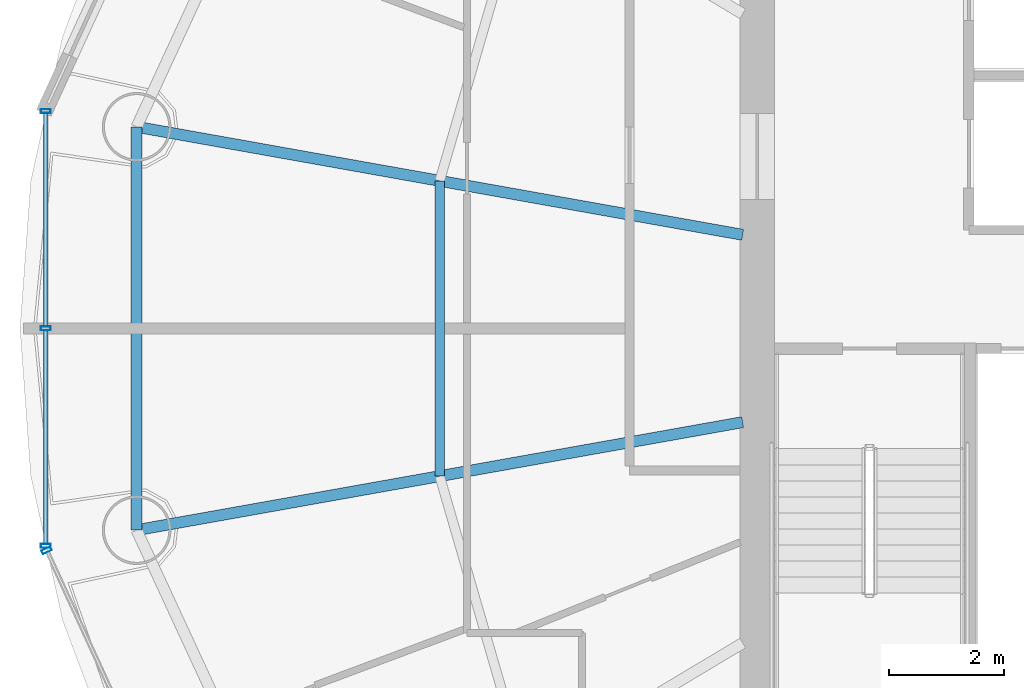
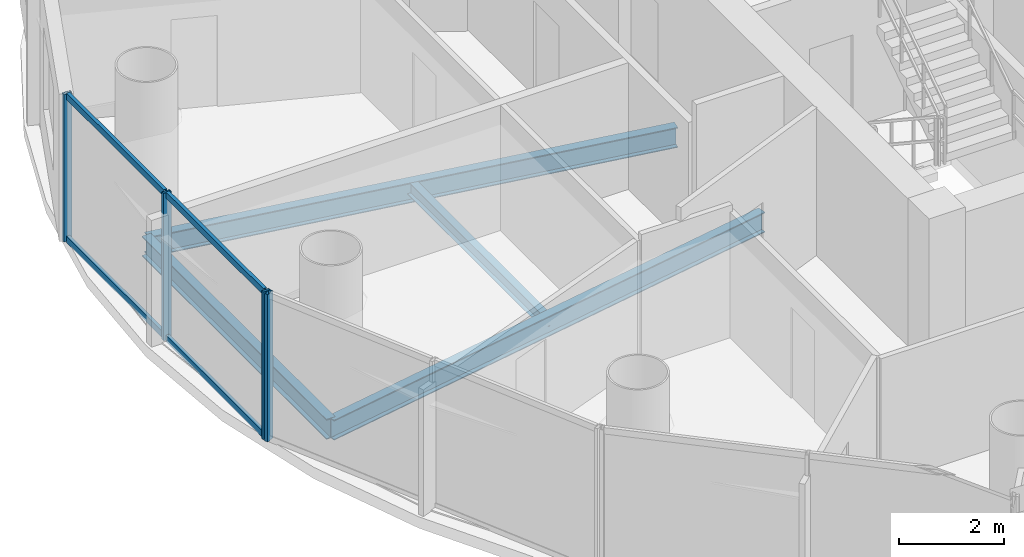
# One storey, part 7 of 26: 8 members, 4 beams, 2 elements without a shape of their own.
"""IFC4 building model written with IfcOpenShell, lengths in metres."""

from ifc_helpers import new_model, si_unit, direction, frame, origin, origin_2d, place, context, subcontext, project, spatial, hollow_rectangle, i_section, extrude, source, transform, mapped, material, material_profile, profile_set, type_object, element, aggregate, save


model = new_model("IFC4")

# Units and contexts
model_context = context("Model", 3, precision=1e-05, world=origin(), true_north=direction((-0.2419218956, 0.970295726276)))
body_context = subcontext(model_context, "Body", "Model", "MODEL_VIEW")
ifc_project = project(units=[si_unit("LENGTHUNIT", "METRE"), si_unit("AREAUNIT", "SQUARE_METRE"), si_unit("VOLUMEUNIT", "CUBIC_METRE"), si_unit("PLANEANGLEUNIT", "RADIAN"), si_unit("MASSUNIT", "GRAM", prefix="KILO")], contexts=[model_context])

# Site, building, storey
site_placement = place(None, origin())
site = spatial("IfcSite", under=ifc_project, at=site_placement, CompositionType="ELEMENT")
building_placement = place(site_placement, origin())
building = spatial("IfcBuilding", under=site, at=building_placement, Name="Cobrevalo Terracotta Tower", CompositionType="ELEMENT")
storey_placement = place(building_placement, frame((0.0, 0.0, 217.10009765625)))
storey = spatial("IfcBuildingStorey", under=building, at=storey_placement, Name="L57", CompositionType="ELEMENT", Elevation=217.10009765625)

# Beams
ifc_material_1 = material(Name="Steel S355", Category="steel")
ifc_material_profile_1 = material_profile(ifc_material_1, i_section(OverallWidth=0.194091796875, OverallDepth=0.468994140625, WebThickness=0.011474609375, FlangeThickness=0.0205078125, at=origin_2d()), Name="W 460x106")
ifc_profile_set_1 = profile_set([ifc_material_profile_1], Name="Steel S355")
beam_type_1 = type_object("IfcBeamType", Name="Structural Beam W 460x106 (Steel S355)", PredefinedType="BEAM", material=ifc_profile_set_1)
for number, where, z_axis, x_axis, name in (
    (1, (18.237060546875, 30.3212890625, -0.49951171875), (0.98449712063, -0.175400739656, 0.0), (0.175400739656, 0.98449712063, 0.0), "L57 radial floor girder 08"),
    (2, (18.237060546875, 23.278564453125, -0.49951171875), (0.984493198547, 0.175422752274, 0.0), (-0.175422752274, 0.984493198547, 0.0), "L57 radial floor girder 09"),
):
    element("IfcBeam", number, at=place(storey_placement, frame(where, z_axis=z_axis, x_axis=x_axis)), inside=storey, type_object=beam_type_1, Name=name, PredefinedType="BEAM", context=body_context, shape_type="SweptSolid", body=[
        extrude(i_section(OverallWidth=0.194091796875, OverallDepth=0.468994140625, WebThickness=0.011474609375, FlangeThickness=0.0205078125, at=origin_2d()), origin(), (0.0, 0.0, 1.0), 10.749755859375),
    ])
ifc_material_profile_2 = material_profile(ifc_material_1, i_section(OverallWidth=0.1650390625, OverallDepth=0.31005859375, WebThickness=0.005859375, FlangeThickness=0.009765625, at=origin_2d()), Name="W 310x38.7")
ifc_profile_set_2 = profile_set([ifc_material_profile_2], Name="Steel S355")
beam_type_2 = type_object("IfcBeamType", Name="Structural Joist W 310x38.7 (Steel S355)", PredefinedType="JOIST", material=ifc_profile_set_2)
beam_1_placement = place(storey_placement, frame((23.528564453125, 29.378662109375, -0.420166015625), z_axis=(0.0, -1.0, 0.0), x_axis=(1.0, 0.0, 0.0)))
element("IfcBeam", 3, at=beam_1_placement, inside=storey, type_object=beam_type_2, Name="L57 circumferential secondary floor joist 08", PredefinedType="JOIST", context=body_context, shape_type="SweptSolid", body=[
    extrude(i_section(OverallWidth=0.1650390625, OverallDepth=0.31005859375, WebThickness=0.005859375, FlangeThickness=0.009765625, at=origin_2d()), origin(), (0.0, 0.0, 1.0), 5.1572265625),
])
ifc_material_profile_3 = material_profile(ifc_material_1, i_section(OverallWidth=0.194091796875, OverallDepth=0.468994140625, WebThickness=0.011474609375, FlangeThickness=0.0205078125, at=origin_2d()), Name="W 460x106")
ifc_profile_set_3 = profile_set([ifc_material_profile_3], Name="Steel S355")
beam_type_3 = type_object("IfcBeamType", Name="Structural Spandrel W 460x106 (Steel S355)", PredefinedType="SPANDREL", material=ifc_profile_set_3)
beam_2_placement = place(storey_placement, frame((18.237060546875, 30.3212890625, -0.49951171875), z_axis=(0.0, -1.0, 0.0), x_axis=(1.0, 0.0, 0.0)))
element("IfcBeam", 4, at=beam_2_placement, inside=storey, type_object=beam_type_3, Name="L57 perimeter ring spandrel 08", PredefinedType="SPANDREL", context=body_context, shape_type="SweptSolid", body=[
    extrude(i_section(OverallWidth=0.194091796875, OverallDepth=0.468994140625, WebThickness=0.011474609375, FlangeThickness=0.0205078125, at=origin_2d()), origin(), (0.0, 0.0, 1.0), 7.042724609375),
])

# Curtain wall, members
ifc_material_2 = material(Name="Anodized aluminium", Category="aluminium")
curtain_wall_type = type_object("IfcCurtainWallType", Name="Mid-tower high-wind unitised curtain wall CW-U2", PredefinedType="NOTDEFINED", material=ifc_material_2)
curtain_wall_1_placement = place(storey_placement, origin())
curtain_wall_1 = element("IfcCurtainWall", 5, at=curtain_wall_1_placement, inside=storey, type_object=curtain_wall_type, Name="L57 curtain wall CW-L57-S08", PredefinedType="NOTDEFINED")
ifc_material_profile_4 = material_profile(ifc_material_2, hollow_rectangle(XDim=0.074951171875, YDim=0.14990234375, WallThickness=0.00439453125, at=origin_2d()), Name="CWT 75x150")
ifc_profile_set_4 = profile_set([ifc_material_profile_4], Name="Anodized aluminium")
member_type_1 = type_object("IfcMemberType", Name="Tower unitised aluminium transom 75x150", PredefinedType="USERDEFINED", material=ifc_profile_set_4)
shared_shape_1 = source(origin(), body_context, "Body", "SweptSolid", [
    extrude(hollow_rectangle(XDim=0.074951171875, YDim=0.14990234375, WallThickness=0.00439453125, at=origin_2d()), origin(), (0.0, 0.0, 1.0), 3.71728515625),
])
member_1_placement = place(storey_placement, frame((16.648193359375, 30.557373046875, 0.0498046875), z_axis=(0.0, -1.0, 0.0), x_axis=(1.0, 0.0, 0.0)))
member_1 = element("IfcMember", 6, at=member_1_placement, type_object=member_type_1, Name="CW-L57-S08 transom B01-T1", ObjectType="TRANSOM", PredefinedType="USERDEFINED", context=body_context, shape_type="MappedRepresentation", body=[
    mapped(shared_shape_1, transform((0.0, 0.0, 0.0), scale=1.0)),
])
member_2_placement = place(storey_placement, frame((16.648193359375, 30.557373046875, 3.385009765625), z_axis=(0.0, -1.0, 0.0), x_axis=(1.0, 0.0, 0.0)))
member_2 = element("IfcMember", 7, at=member_2_placement, type_object=member_type_1, Name="CW-L57-S08 transom B01-T2", ObjectType="TRANSOM", PredefinedType="USERDEFINED", context=body_context, shape_type="MappedRepresentation", body=[
    mapped(shared_shape_1, transform((0.0, 0.0, 0.0), scale=1.0)),
])
shared_shape_2 = source(origin(), body_context, "Body", "SweptSolid", [
    extrude(hollow_rectangle(XDim=0.074951171875, YDim=0.14990234375, WallThickness=0.00439453125, at=origin_2d()), origin(), (0.0, 0.0, 1.0), 3.717529296875),
])
member_3_placement = place(storey_placement, frame((16.648193359375, 26.760009765625, 0.0498046875), z_axis=(0.0, -1.0, 0.0), x_axis=(1.0, 0.0, 0.0)))
member_3 = element("IfcMember", 8, at=member_3_placement, type_object=member_type_1, Name="CW-L57-S08 transom B02-T1", ObjectType="TRANSOM", PredefinedType="USERDEFINED", context=body_context, shape_type="MappedRepresentation", body=[
    mapped(shared_shape_2, transform((0.0, 0.0, 0.0), scale=1.0)),
])
member_4_placement = place(storey_placement, frame((16.648193359375, 26.760009765625, 3.385009765625), z_axis=(0.0, -1.0, 0.0), x_axis=(1.0, 0.0, 0.0)))
member_4 = element("IfcMember", 9, at=member_4_placement, type_object=member_type_1, Name="CW-L57-S08 transom B02-T2", ObjectType="TRANSOM", PredefinedType="USERDEFINED", context=body_context, shape_type="MappedRepresentation", body=[
    mapped(shared_shape_2, transform((0.0, 0.0, 0.0), scale=1.0)),
])
ifc_material_profile_5 = material_profile(ifc_material_2, hollow_rectangle(XDim=0.070068359375, YDim=0.169921875, WallThickness=0.00439453125, at=origin_2d()), Name="CWM 70x170")
ifc_profile_set_5 = profile_set([ifc_material_profile_5], Name="Anodized aluminium")
member_type_2 = type_object("IfcMemberType", Name="Upper tower unitised mullion 70x170", PredefinedType="MULLION", material=ifc_profile_set_5)
shared_shape_3 = source(origin(), body_context, "Body", "SweptSolid", [
    extrude(hollow_rectangle(XDim=0.070068359375, YDim=0.169921875, WallThickness=0.00439453125, at=origin_2d()), origin(), (0.0, 0.0, 1.0), 3.434814453125),
])
member_5_placement = place(storey_placement, frame((16.648193359375, 30.597412109375, 0.0), z_axis=(0.0, 0.0, 1.0), x_axis=(0.0, -1.0, 0.0)))
member_5 = element("IfcMember", 10, at=member_5_placement, type_object=member_type_2, Name="CW-L57-S08 vertical mullion 01", PredefinedType="MULLION", context=body_context, shape_type="MappedRepresentation", body=[
    mapped(shared_shape_3, transform((0.0, 0.0, 0.0), scale=1.0)),
])
member_6_placement = place(storey_placement, frame((16.648193359375, 26.800048828125, 0.0), z_axis=(0.0, 0.0, 1.0), x_axis=(0.0, -1.0, 0.0)))
member_6 = element("IfcMember", 11, at=member_6_placement, type_object=member_type_2, Name="CW-L57-S08 vertical mullion 02", PredefinedType="MULLION", context=body_context, shape_type="MappedRepresentation", body=[
    mapped(shared_shape_3, transform((0.0, 0.0, 0.0), scale=1.0)),
])
member_7_placement = place(storey_placement, frame((16.648193359375, 23.002685546875, 0.0), z_axis=(0.0, 0.0, 1.0), x_axis=(0.0, -1.0, 0.0)))
member_7 = element("IfcMember", 12, at=member_7_placement, type_object=member_type_2, Name="CW-L57-S08 vertical mullion 03", PredefinedType="MULLION", context=body_context, shape_type="MappedRepresentation", body=[
    mapped(shared_shape_3, transform((0.0, 0.0, 0.0), scale=1.0)),
])
aggregate(curtain_wall_1, [member_5, member_6, member_7, member_1, member_2, member_3, member_4])

# Curtain wall, member
curtain_wall_2_placement = place(storey_placement, origin())
curtain_wall_2 = element("IfcCurtainWall", 13, at=curtain_wall_2_placement, inside=storey, type_object=curtain_wall_type, Name="L57 curtain wall CW-L57-S09", PredefinedType="NOTDEFINED")
member_8_placement = place(storey_placement, frame((16.6650390625, 22.92626953125, 0.0), z_axis=(0.0, 0.0, 1.0), x_axis=(0.41672507912, -0.909032567311, 0.0)))
member_8 = element("IfcMember", 14, at=member_8_placement, type_object=member_type_2, Name="CW-L57-S09 vertical mullion 01", PredefinedType="MULLION", context=body_context, shape_type="MappedRepresentation", body=[
    mapped(shared_shape_3, transform((0.0, 0.0, 0.0), scale=1.0)),
])
aggregate(curtain_wall_2, [member_8])

save(model, "model.ifc")
